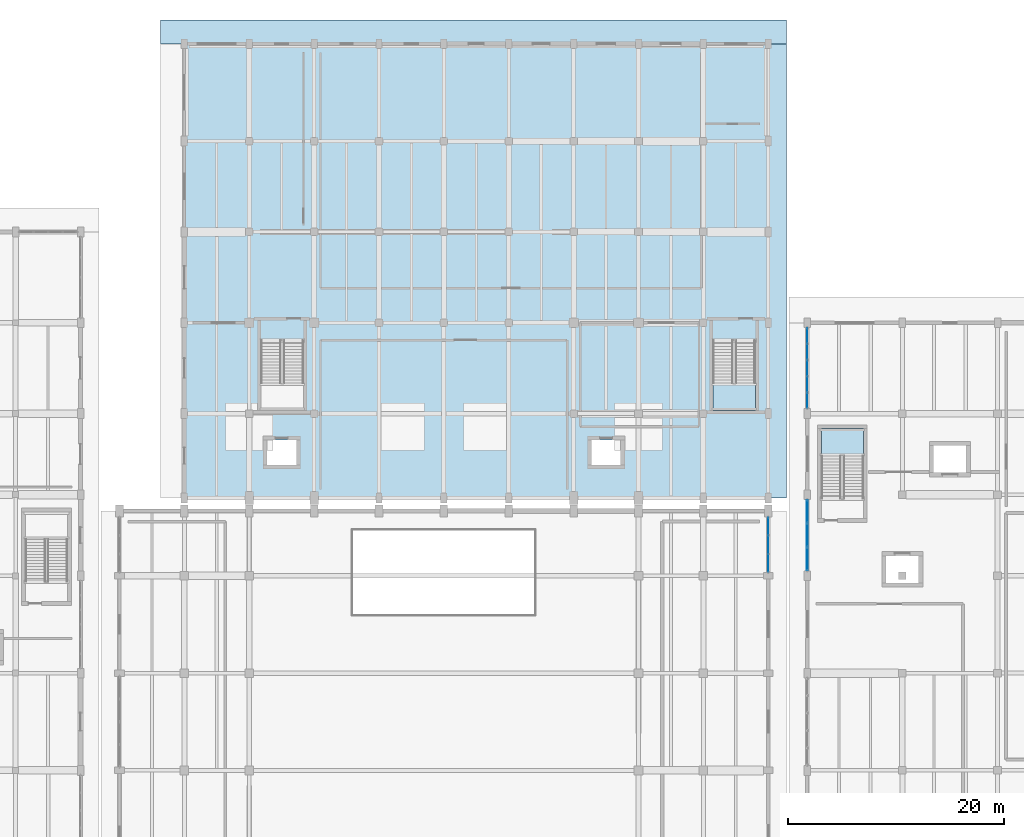
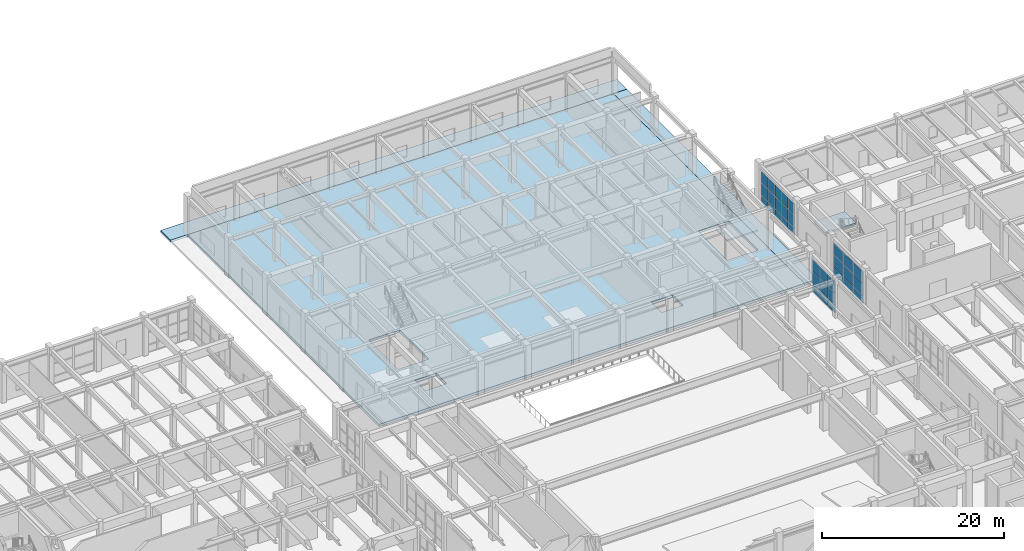
# One storey, part 66 of 91: 33 plates, 5 slabs, 5 elements without a shape of their own.
"""IFC4 building model written with IfcOpenShell, lengths in metres."""

from ifc_helpers import new_model, si_unit, direction, frame, origin, origin_2d, place, context, subcontext, project, spatial, polyline, rectangle, outline, extrude, material, layer, layer_set, type_object, element, aggregate, save


model = new_model("IFC4")

# Units and contexts
model_context = context("Model", 3, precision=1e-05, world=origin(), true_north=direction((0.0, 1.0)))
body_context = subcontext(model_context, "Body", "Model", "MODEL_VIEW")
ifc_project = project(units=[si_unit("LENGTHUNIT", "METRE"), si_unit("AREAUNIT", "SQUARE_METRE"), si_unit("VOLUMEUNIT", "CUBIC_METRE"), si_unit("PLANEANGLEUNIT", "RADIAN"), si_unit("MASSUNIT", "GRAM", prefix="KILO")], contexts=[model_context])

# Site, building, storey
site_placement = place(None, origin())
site = spatial("IfcSite", under=ifc_project, at=site_placement, CompositionType="ELEMENT")
building_placement = place(site_placement, origin())
building = spatial("IfcBuilding", under=site, at=building_placement, Name="Vaelkrest Opera House", CompositionType="ELEMENT")
storey_placement = place(building_placement, origin())
storey = spatial("IfcBuildingStorey", under=building, at=storey_placement, Name="L00", CompositionType="ELEMENT", Elevation=0.0)

# Curtain wall, plates
ifc_material_1 = material(Name="Dark bronze anodized aluminium", Category="aluminium")
ifc_layer_1 = layer(ifc_material_1, 0.18994140625)
ifc_layer_set_1 = layer_set([ifc_layer_1], Name="Dark bronze anodized aluminium")
curtain_wall_type_1 = type_object("IfcCurtainWallType", Name="CW02", PredefinedType="NOTDEFINED", material=ifc_layer_set_1)
curtain_wall_1_placement = place(storey_placement, origin())
curtain_wall_1 = element("IfcCurtainWall", 1, at=curtain_wall_1_placement, inside=storey, type_object=curtain_wall_type_1, Name="Curtain wall CW-L00-151", PredefinedType="NOTDEFINED")
ifc_material_2 = material(Name="Double low-E insulated glazing", Category="glass")
ifc_layer_2 = layer(ifc_material_2, 0.030029296875)
ifc_layer_set_2 = layer_set([ifc_layer_2], Name="Double low-E insulated glazing")
plate_type_1 = type_object("IfcPlateType", Name="CWP02", PredefinedType="CURTAIN_PANEL", material=ifc_layer_set_2)
plate_1_placement = place(storey_placement, frame((33.60009765625, 26.416015625, 0.06982421875), z_axis=(0.0, 0.0, 1.0), x_axis=(0.0, 1.0, 0.0)))
plate_1 = element("IfcPlate", 2, at=plate_1_placement, type_object=plate_type_1, Name="CW02 panel 1.1", PredefinedType="CURTAIN_PANEL", context=body_context, shape_type="SweptSolid", body=[
    extrude(rectangle(XDim=1.395751953125, YDim=0.030029296875, at=origin_2d()), origin(), (0.0, 0.0, 1.0), 0.945068359375),
])
plate_2_placement = place(storey_placement, frame((33.60009765625, 26.416015625, 1.0849609375), z_axis=(0.0, 0.0, 1.0), x_axis=(0.0, 1.0, 0.0)))
plate_2 = element("IfcPlate", 3, at=plate_2_placement, type_object=plate_type_1, Name="CW02 panel 1.2", PredefinedType="CURTAIN_PANEL", context=body_context, shape_type="SweptSolid", body=[
    extrude(rectangle(XDim=1.395751953125, YDim=0.030029296875, at=origin_2d()), origin(), (0.0, 0.0, 1.0), 1.6298828125),
])
plate_3_placement = place(storey_placement, frame((33.60009765625, 26.416015625, 2.78515625), z_axis=(0.0, 0.0, 1.0), x_axis=(0.0, 1.0, 0.0)))
plate_3 = element("IfcPlate", 4, at=plate_3_placement, type_object=plate_type_1, Name="CW02 panel 1.3", PredefinedType="CURTAIN_PANEL", context=body_context, shape_type="SweptSolid", body=[
    extrude(rectangle(XDim=1.395751953125, YDim=0.030029296875, at=origin_2d()), origin(), (0.0, 0.0, 1.0), 1.549072265625),
])
plate_4_placement = place(storey_placement, frame((33.60009765625, 27.899169921875, 0.06982421875), z_axis=(0.0, 0.0, 1.0), x_axis=(0.0, 1.0, 0.0)))
plate_4 = element("IfcPlate", 5, at=plate_4_placement, type_object=plate_type_1, Name="CW02 panel 2.1", PredefinedType="CURTAIN_PANEL", context=body_context, shape_type="SweptSolid", body=[
    extrude(rectangle(XDim=1.430908203125, YDim=0.030029296875, at=origin_2d()), origin(), (0.0, 0.0, 1.0), 0.945068359375),
])
plate_5_placement = place(storey_placement, frame((33.60009765625, 27.899169921875, 1.0849609375), z_axis=(0.0, 0.0, 1.0), x_axis=(0.0, 1.0, 0.0)))
plate_5 = element("IfcPlate", 6, at=plate_5_placement, type_object=plate_type_1, Name="CW02 panel 2.2", PredefinedType="CURTAIN_PANEL", context=body_context, shape_type="SweptSolid", body=[
    extrude(rectangle(XDim=1.430908203125, YDim=0.030029296875, at=origin_2d()), origin(), (0.0, 0.0, 1.0), 1.6298828125),
])
plate_6_placement = place(storey_placement, frame((33.60009765625, 27.899169921875, 2.78515625), z_axis=(0.0, 0.0, 1.0), x_axis=(0.0, 1.0, 0.0)))
plate_6 = element("IfcPlate", 7, at=plate_6_placement, type_object=plate_type_1, Name="CW02 panel 2.3", PredefinedType="CURTAIN_PANEL", context=body_context, shape_type="SweptSolid", body=[
    extrude(rectangle(XDim=1.430908203125, YDim=0.030029296875, at=origin_2d()), origin(), (0.0, 0.0, 1.0), 1.549072265625),
])
plate_7_placement = place(storey_placement, frame((33.60009765625, 29.39990234375, 0.06982421875), z_axis=(0.0, 0.0, 1.0), x_axis=(0.0, 1.0, 0.0)))
plate_7 = element("IfcPlate", 8, at=plate_7_placement, type_object=plate_type_1, Name="CW02 panel 3.1", PredefinedType="CURTAIN_PANEL", context=body_context, shape_type="SweptSolid", body=[
    extrude(rectangle(XDim=1.430908203125, YDim=0.030029296875, at=origin_2d()), origin(), (0.0, 0.0, 1.0), 0.945068359375),
])
plate_8_placement = place(storey_placement, frame((33.60009765625, 29.39990234375, 1.0849609375), z_axis=(0.0, 0.0, 1.0), x_axis=(0.0, 1.0, 0.0)))
plate_8 = element("IfcPlate", 9, at=plate_8_placement, type_object=plate_type_1, Name="CW02 panel 3.2", PredefinedType="CURTAIN_PANEL", context=body_context, shape_type="SweptSolid", body=[
    extrude(rectangle(XDim=1.430908203125, YDim=0.030029296875, at=origin_2d()), origin(), (0.0, 0.0, 1.0), 1.6298828125),
])
plate_9_placement = place(storey_placement, frame((33.60009765625, 29.39990234375, 2.78515625), z_axis=(0.0, 0.0, 1.0), x_axis=(0.0, 1.0, 0.0)))
plate_9 = element("IfcPlate", 10, at=plate_9_placement, type_object=plate_type_1, Name="CW02 panel 3.3", PredefinedType="CURTAIN_PANEL", context=body_context, shape_type="SweptSolid", body=[
    extrude(rectangle(XDim=1.430908203125, YDim=0.030029296875, at=origin_2d()), origin(), (0.0, 0.0, 1.0), 1.549072265625),
])
plate_10_placement = place(storey_placement, frame((33.60009765625, 30.90087890625, 0.06982421875), z_axis=(0.0, 0.0, 1.0), x_axis=(0.0, 1.0, 0.0)))
plate_10 = element("IfcPlate", 11, at=plate_10_placement, type_object=plate_type_1, Name="CW02 panel 4.1", PredefinedType="CURTAIN_PANEL", context=body_context, shape_type="SweptSolid", body=[
    extrude(rectangle(XDim=1.430908203125, YDim=0.030029296875, at=origin_2d()), origin(), (0.0, 0.0, 1.0), 0.945068359375),
])
plate_11_placement = place(storey_placement, frame((33.60009765625, 30.90087890625, 1.0849609375), z_axis=(0.0, 0.0, 1.0), x_axis=(0.0, 1.0, 0.0)))
plate_11 = element("IfcPlate", 12, at=plate_11_placement, type_object=plate_type_1, Name="CW02 panel 4.2", PredefinedType="CURTAIN_PANEL", context=body_context, shape_type="SweptSolid", body=[
    extrude(rectangle(XDim=1.430908203125, YDim=0.030029296875, at=origin_2d()), origin(), (0.0, 0.0, 1.0), 1.6298828125),
])
plate_12_placement = place(storey_placement, frame((33.60009765625, 30.90087890625, 2.78515625), z_axis=(0.0, 0.0, 1.0), x_axis=(0.0, 1.0, 0.0)))
plate_12 = element("IfcPlate", 13, at=plate_12_placement, type_object=plate_type_1, Name="CW02 panel 4.3", PredefinedType="CURTAIN_PANEL", context=body_context, shape_type="SweptSolid", body=[
    extrude(rectangle(XDim=1.430908203125, YDim=0.030029296875, at=origin_2d()), origin(), (0.0, 0.0, 1.0), 1.549072265625),
])
plate_13_placement = place(storey_placement, frame((33.60009765625, 32.384033203125, 0.06982421875), z_axis=(0.0, 0.0, 1.0), x_axis=(0.0, 1.0, 0.0)))
plate_13 = element("IfcPlate", 14, at=plate_13_placement, type_object=plate_type_1, Name="CW02 panel 5.1", PredefinedType="CURTAIN_PANEL", context=body_context, shape_type="SweptSolid", body=[
    extrude(rectangle(XDim=1.395751953125, YDim=0.030029296875, at=origin_2d()), origin(), (0.0, 0.0, 1.0), 0.945068359375),
])
plate_14_placement = place(storey_placement, frame((33.60009765625, 32.384033203125, 1.0849609375), z_axis=(0.0, 0.0, 1.0), x_axis=(0.0, 1.0, 0.0)))
plate_14 = element("IfcPlate", 15, at=plate_14_placement, type_object=plate_type_1, Name="CW02 panel 5.2", PredefinedType="CURTAIN_PANEL", context=body_context, shape_type="SweptSolid", body=[
    extrude(rectangle(XDim=1.395751953125, YDim=0.030029296875, at=origin_2d()), origin(), (0.0, 0.0, 1.0), 1.6298828125),
])
plate_15_placement = place(storey_placement, frame((33.60009765625, 32.384033203125, 2.78515625), z_axis=(0.0, 0.0, 1.0), x_axis=(0.0, 1.0, 0.0)))
plate_15 = element("IfcPlate", 16, at=plate_15_placement, type_object=plate_type_1, Name="CW02 panel 5.3", PredefinedType="CURTAIN_PANEL", context=body_context, shape_type="SweptSolid", body=[
    extrude(rectangle(XDim=1.395751953125, YDim=0.030029296875, at=origin_2d()), origin(), (0.0, 0.0, 1.0), 1.549072265625),
])
aggregate(curtain_wall_1, [plate_1, plate_2, plate_3, plate_4, plate_5, plate_6, plate_7, plate_8, plate_9, plate_10, plate_11, plate_12, plate_13, plate_14, plate_15])

ifc_layer_3 = layer(ifc_material_1, 0.219970703125)
ifc_layer_set_3 = layer_set([ifc_layer_3], Name="Dark bronze anodized aluminium")
curtain_wall_type_2 = type_object("IfcCurtainWallType", Name="CW05", PredefinedType="NOTDEFINED", material=ifc_layer_set_3)
curtain_wall_2_placement = place(storey_placement, origin())
curtain_wall_2 = element("IfcCurtainWall", 17, at=curtain_wall_2_placement, inside=storey, type_object=curtain_wall_type_2, Name="Curtain wall CW-L00-017", PredefinedType="NOTDEFINED")
ifc_layer_4 = layer(ifc_material_2, 0.0419921875)
ifc_layer_set_4 = layer_set([ifc_layer_4], Name="Double low-E insulated glazing")
plate_type_2 = type_object("IfcPlateType", Name="CWP05", PredefinedType="CURTAIN_PANEL", material=ifc_layer_set_4)
plate_16_placement = place(storey_placement, frame((30.0, 14.77685546875, 0.074951171875), z_axis=(0.0, 0.0, 1.0), x_axis=(0.0, -1.0, 0.0)))
plate_16 = element("IfcPlate", 18, at=plate_16_placement, type_object=plate_type_2, Name="CW05 panel 1.1", PredefinedType="CURTAIN_PANEL", context=body_context, shape_type="SweptSolid", body=[
    extrude(rectangle(XDim=1.62060546875, YDim=0.0419921875, at=origin_2d()), origin(), (0.0, 0.0, 1.0), 0.9375),
])
plate_17_placement = place(storey_placement, frame((30.0, 14.77685546875, 1.08740234375), z_axis=(0.0, 0.0, 1.0), x_axis=(0.0, -1.0, 0.0)))
plate_17 = element("IfcPlate", 19, at=plate_17_placement, type_object=plate_type_2, Name="CW05 panel 1.2", PredefinedType="CURTAIN_PANEL", context=body_context, shape_type="SweptSolid", body=[
    extrude(rectangle(XDim=1.62060546875, YDim=0.0419921875, at=origin_2d()), origin(), (0.0, 0.0, 1.0), 1.625),
])
plate_18_placement = place(storey_placement, frame((30.0, 14.77685546875, 2.78759765625), z_axis=(0.0, 0.0, 1.0), x_axis=(0.0, -1.0, 0.0)))
plate_18 = element("IfcPlate", 20, at=plate_18_placement, type_object=plate_type_2, Name="CW05 panel 1.3", PredefinedType="CURTAIN_PANEL", context=body_context, shape_type="SweptSolid", body=[
    extrude(rectangle(XDim=1.62060546875, YDim=0.0419921875, at=origin_2d()), origin(), (0.0, 0.0, 1.0), 1.54150390625),
])
plate_19_placement = place(storey_placement, frame((30.0, 13.074951171875, 0.074951171875), z_axis=(0.0, 0.0, 1.0), x_axis=(0.0, -1.0, 0.0)))
plate_19 = element("IfcPlate", 21, at=plate_19_placement, type_object=plate_type_2, Name="CW05 panel 2.1", PredefinedType="CURTAIN_PANEL", context=body_context, shape_type="SweptSolid", body=[
    extrude(rectangle(XDim=1.653076171875, YDim=0.0419921875, at=origin_2d()), origin(), (0.0, 0.0, 1.0), 0.9375),
])
plate_20_placement = place(storey_placement, frame((30.0, 13.074951171875, 1.08740234375), z_axis=(0.0, 0.0, 1.0), x_axis=(0.0, -1.0, 0.0)))
plate_20 = element("IfcPlate", 22, at=plate_20_placement, type_object=plate_type_2, Name="CW05 panel 2.2", PredefinedType="CURTAIN_PANEL", context=body_context, shape_type="SweptSolid", body=[
    extrude(rectangle(XDim=1.653076171875, YDim=0.0419921875, at=origin_2d()), origin(), (0.0, 0.0, 1.0), 1.625),
])
plate_21_placement = place(storey_placement, frame((30.0, 13.074951171875, 2.78759765625), z_axis=(0.0, 0.0, 1.0), x_axis=(0.0, -1.0, 0.0)))
plate_21 = element("IfcPlate", 23, at=plate_21_placement, type_object=plate_type_2, Name="CW05 panel 2.3", PredefinedType="CURTAIN_PANEL", context=body_context, shape_type="SweptSolid", body=[
    extrude(rectangle(XDim=1.653076171875, YDim=0.0419921875, at=origin_2d()), origin(), (0.0, 0.0, 1.0), 1.54150390625),
])
plate_22_placement = place(storey_placement, frame((30.0, 11.373291015625, 0.074951171875), z_axis=(0.0, 0.0, 1.0), x_axis=(0.0, -1.0, 0.0)))
plate_22 = element("IfcPlate", 24, at=plate_22_placement, type_object=plate_type_2, Name="CW05 panel 3.1", PredefinedType="CURTAIN_PANEL", context=body_context, shape_type="SweptSolid", body=[
    extrude(rectangle(XDim=1.62060546875, YDim=0.0419921875, at=origin_2d()), origin(), (0.0, 0.0, 1.0), 0.9375),
])
plate_23_placement = place(storey_placement, frame((30.0, 11.373291015625, 1.08740234375), z_axis=(0.0, 0.0, 1.0), x_axis=(0.0, -1.0, 0.0)))
plate_23 = element("IfcPlate", 25, at=plate_23_placement, type_object=plate_type_2, Name="CW05 panel 3.2", PredefinedType="CURTAIN_PANEL", context=body_context, shape_type="SweptSolid", body=[
    extrude(rectangle(XDim=1.62060546875, YDim=0.0419921875, at=origin_2d()), origin(), (0.0, 0.0, 1.0), 1.625),
])
plate_24_placement = place(storey_placement, frame((30.0, 11.373291015625, 2.78759765625), z_axis=(0.0, 0.0, 1.0), x_axis=(0.0, -1.0, 0.0)))
plate_24 = element("IfcPlate", 26, at=plate_24_placement, type_object=plate_type_2, Name="CW05 panel 3.3", PredefinedType="CURTAIN_PANEL", context=body_context, shape_type="SweptSolid", body=[
    extrude(rectangle(XDim=1.62060546875, YDim=0.0419921875, at=origin_2d()), origin(), (0.0, 0.0, 1.0), 1.54150390625),
])
aggregate(curtain_wall_2, [plate_16, plate_17, plate_18, plate_19, plate_20, plate_21, plate_22, plate_23, plate_24])

ifc_layer_5 = layer(ifc_material_1, 0.25)
ifc_layer_set_5 = layer_set([ifc_layer_5], Name="Dark bronze anodized aluminium")
curtain_wall_type_3 = type_object("IfcCurtainWallType", Name="CW08", PredefinedType="NOTDEFINED", material=ifc_layer_set_5)
curtain_wall_3_placement = place(storey_placement, origin())
curtain_wall_3 = element("IfcCurtainWall", 27, at=curtain_wall_3_placement, inside=storey, type_object=curtain_wall_type_3, Name="Curtain wall CW-L00-150", PredefinedType="NOTDEFINED")
ifc_material_3 = material(Name="Dark bronze anodized aluminium spandrel", Category="aluminium")
ifc_layer_6 = layer(ifc_material_3, 0.05810546875)
ifc_layer_set_6 = layer_set([ifc_layer_6], Name="Dark bronze anodized aluminium spandrel")
plate_type_3 = type_object("IfcPlateType", Name="CWP08", PredefinedType="CURTAIN_PANEL", material=ifc_layer_set_6)
plate_25_placement = place(storey_placement, frame((33.60009765625, 11.7685546875, 0.06982421875), z_axis=(0.0, 0.0, 1.0), x_axis=(0.0, 1.0, 0.0)))
plate_25 = element("IfcPlate", 28, at=plate_25_placement, type_object=plate_type_3, Name="CW08 panel 1.1", PredefinedType="CURTAIN_PANEL", context=body_context, shape_type="SweptSolid", body=[
    extrude(rectangle(XDim=2.081298828125, YDim=0.05810546875, at=origin_2d()), origin(), (0.0, 0.0, 1.0), 0.945068359375),
])
plate_26_placement = place(storey_placement, frame((33.60009765625, 11.7685546875, 1.0849609375), z_axis=(0.0, 0.0, 1.0), x_axis=(0.0, 1.0, 0.0)))
plate_26 = element("IfcPlate", 29, at=plate_26_placement, type_object=plate_type_3, Name="CW08 panel 1.2", PredefinedType="CURTAIN_PANEL", context=body_context, shape_type="SweptSolid", body=[
    extrude(rectangle(XDim=2.081298828125, YDim=0.05810546875, at=origin_2d()), origin(), (0.0, 0.0, 1.0), 1.6298828125),
])
plate_27_placement = place(storey_placement, frame((33.60009765625, 11.7685546875, 2.78515625), z_axis=(0.0, 0.0, 1.0), x_axis=(0.0, 1.0, 0.0)))
plate_27 = element("IfcPlate", 30, at=plate_27_placement, type_object=plate_type_3, Name="CW08 panel 1.3", PredefinedType="CURTAIN_PANEL", context=body_context, shape_type="SweptSolid", body=[
    extrude(rectangle(XDim=2.081298828125, YDim=0.05810546875, at=origin_2d()), origin(), (0.0, 0.0, 1.0), 1.549072265625),
])
plate_28_placement = place(storey_placement, frame((33.60009765625, 13.949951171875, 0.06982421875), z_axis=(0.0, 0.0, 1.0), x_axis=(0.0, 1.0, 0.0)))
plate_28 = element("IfcPlate", 31, at=plate_28_placement, type_object=plate_type_3, Name="CW08 panel 2.1", PredefinedType="CURTAIN_PANEL", context=body_context, shape_type="SweptSolid", body=[
    extrude(rectangle(XDim=2.121337890625, YDim=0.05810546875, at=origin_2d()), origin(), (0.0, 0.0, 1.0), 0.945068359375),
])
plate_29_placement = place(storey_placement, frame((33.60009765625, 13.949951171875, 1.0849609375), z_axis=(0.0, 0.0, 1.0), x_axis=(0.0, 1.0, 0.0)))
plate_29 = element("IfcPlate", 32, at=plate_29_placement, type_object=plate_type_3, Name="CW08 panel 2.2", PredefinedType="CURTAIN_PANEL", context=body_context, shape_type="SweptSolid", body=[
    extrude(rectangle(XDim=2.121337890625, YDim=0.05810546875, at=origin_2d()), origin(), (0.0, 0.0, 1.0), 1.6298828125),
])
plate_30_placement = place(storey_placement, frame((33.60009765625, 13.949951171875, 2.78515625), z_axis=(0.0, 0.0, 1.0), x_axis=(0.0, 1.0, 0.0)))
plate_30 = element("IfcPlate", 33, at=plate_30_placement, type_object=plate_type_3, Name="CW08 panel 2.3", PredefinedType="CURTAIN_PANEL", context=body_context, shape_type="SweptSolid", body=[
    extrude(rectangle(XDim=2.121337890625, YDim=0.05810546875, at=origin_2d()), origin(), (0.0, 0.0, 1.0), 1.549072265625),
])
plate_31_placement = place(storey_placement, frame((33.60009765625, 16.13134765625, 0.06982421875), z_axis=(0.0, 0.0, 1.0), x_axis=(0.0, 1.0, 0.0)))
plate_31 = element("IfcPlate", 34, at=plate_31_placement, type_object=plate_type_3, Name="CW08 panel 3.1", PredefinedType="CURTAIN_PANEL", context=body_context, shape_type="SweptSolid", body=[
    extrude(rectangle(XDim=2.081298828125, YDim=0.05810546875, at=origin_2d()), origin(), (0.0, 0.0, 1.0), 0.945068359375),
])
plate_32_placement = place(storey_placement, frame((33.60009765625, 16.13134765625, 1.0849609375), z_axis=(0.0, 0.0, 1.0), x_axis=(0.0, 1.0, 0.0)))
plate_32 = element("IfcPlate", 35, at=plate_32_placement, type_object=plate_type_3, Name="CW08 panel 3.2", PredefinedType="CURTAIN_PANEL", context=body_context, shape_type="SweptSolid", body=[
    extrude(rectangle(XDim=2.081298828125, YDim=0.05810546875, at=origin_2d()), origin(), (0.0, 0.0, 1.0), 1.6298828125),
])
plate_33_placement = place(storey_placement, frame((33.60009765625, 16.13134765625, 2.78515625), z_axis=(0.0, 0.0, 1.0), x_axis=(0.0, 1.0, 0.0)))
plate_33 = element("IfcPlate", 36, at=plate_33_placement, type_object=plate_type_3, Name="CW08 panel 3.3", PredefinedType="CURTAIN_PANEL", context=body_context, shape_type="SweptSolid", body=[
    extrude(rectangle(XDim=2.081298828125, YDim=0.05810546875, at=origin_2d()), origin(), (0.0, 0.0, 1.0), 1.549072265625),
])
aggregate(curtain_wall_3, [plate_25, plate_26, plate_27, plate_28, plate_29, plate_30, plate_31, plate_32, plate_33])

# Slab
ifc_material_4 = material(Name="Concrete C40/50", Category="concrete")
ifc_layer_7 = layer(ifc_material_4, 0.35009765625)
ifc_layer_set_7 = layer_set([ifc_layer_7], Name="Concrete C40/50")
slab_type_1 = type_object("IfcSlabType", Name="FS06", PredefinedType="FLOOR", material=ifc_layer_set_7)
slab_1_placement = place(storey_placement, frame((0.0, 0.0, -0.35009765625)))
element("IfcSlab", 37, at=slab_1_placement, inside=storey, type_object=slab_type_1, Name="Floor slab SLB-V2-L00-010", PredefinedType="FLOOR", context=body_context, shape_type="SweptSolid", body=[
    extrude(outline(polyline([(-24.0, 17.39990234375), (30.0, 17.39990234375), (30.0, 59.39990234375), (-24.0, 59.39990234375), (-24.0, 17.39990234375)]), holes=[polyline([(-16.89990234375, 31.949951171875), (-16.89990234375, 25.5), (-13.0, 25.5), (-13.0, 31.949951171875), (-16.89990234375, 31.949951171875)]), polyline([(24.89990234375, 31.949951171875), (24.89990234375, 25.5), (28.800048828125, 25.5), (28.800048828125, 31.949951171875), (24.89990234375, 31.949951171875)]), polyline([(-16.35009765625, 20.449951171875), (-13.64990234375, 20.449951171875), (-13.64990234375, 22.75), (-16.35009765625, 22.75), (-16.35009765625, 20.449951171875)]), polyline([(13.64990234375, 20.449951171875), (16.35009765625, 20.449951171875), (16.35009765625, 22.75), (13.64990234375, 22.75), (13.64990234375, 20.449951171875)])]), origin(), (0.0, 0.0, 1.0), 0.35009765625),
])

# Stair, slab
stair_type_1 = type_object("IfcStairType", Name="ST06", PredefinedType="TWO_STRAIGHT_RUN_STAIR", material=ifc_material_4)
stair_1_placement = place(storey_placement, origin())
stair_1 = element("IfcStair", 38, at=stair_1_placement, inside=storey, type_object=stair_type_1, Name="L00 Protected exit stair ST06", PredefinedType="TWO_STRAIGHT_RUN_STAIR")
ifc_layer_8 = layer(ifc_material_4, 0.199951171875)
ifc_layer_set_8 = layer_set([ifc_layer_8], Name="Concrete C40/50")
slab_type_2 = type_object("IfcSlabType", Name="SLD01", PredefinedType="LANDING", material=ifc_layer_set_8)
slab_2_placement = place(storey_placement, frame((0.0, 0.0, 2.5)))
slab_2 = element("IfcSlab", 39, at=slab_2_placement, type_object=slab_type_2, Name="ST06 landing 1", PredefinedType="LANDING", context=body_context, shape_type="SweptSolid", body=[
    extrude(outline(polyline([(24.89990234375, 28.030029296875), (24.89990234375, 25.5), (28.800048828125, 25.5), (28.800048828125, 28.030029296875), (24.89990234375, 28.030029296875)])), origin(), (0.0, 0.0, 1.0), 0.199951171875),
])
aggregate(stair_1, [slab_2])

stair_type_2 = type_object("IfcStairType", Name="ST09", PredefinedType="TWO_STRAIGHT_RUN_STAIR", material=ifc_material_4)
stair_2_placement = place(storey_placement, origin())
stair_2 = element("IfcStair", 40, at=stair_2_placement, inside=storey, type_object=stair_type_2, Name="L00 Protected exit stair ST09", PredefinedType="TWO_STRAIGHT_RUN_STAIR")
slab_3_placement = place(storey_placement, frame((0.0, 0.0, 2.5)))
slab_3 = element("IfcSlab", 41, at=slab_3_placement, type_object=slab_type_2, Name="ST09 landing 1", PredefinedType="LANDING", context=body_context, shape_type="SweptSolid", body=[
    extrude(outline(polyline([(38.800048828125, 21.27001953125), (38.800048828125, 23.800048828125), (34.89990234375, 23.800048828125), (34.89990234375, 21.27001953125), (38.800048828125, 21.27001953125)])), origin(), (0.0, 0.0, 1.0), 0.199951171875),
])
aggregate(stair_2, [slab_3])

# Slabs
ifc_layer_9 = layer(ifc_material_4, 0.294921875)
ifc_layer_set_9 = layer_set([ifc_layer_9], Name="Concrete C40/50")
slab_type_3 = type_object("IfcSlabType", Name="TS02", PredefinedType="FLOOR", material=ifc_layer_set_9)
slab_4_placement = place(storey_placement, frame((0.0, 0.0, -0.294921875)))
element("IfcSlab", 42, at=slab_4_placement, inside=storey, type_object=slab_type_3, Name="Exterior plaza walkway SLB-PLZ-V2-N", PredefinedType="FLOOR", context=body_context, shape_type="SweptSolid", body=[
    extrude(outline(polyline([(-26.199951171875, 59.39990234375), (31.699951171875, 59.39990234375), (31.699951171875, 61.60009765625), (-26.199951171875, 61.60009765625), (-26.199951171875, 59.39990234375)])), origin(), (0.0, 0.0, 1.0), 0.294921875),
])
slab_5_placement = place(storey_placement, frame((0.0, 0.0, -0.294921875)))
element("IfcSlab", 43, at=slab_5_placement, inside=storey, type_object=slab_type_3, Name="Exterior plaza walkway SLB-PLZ-V2-E", PredefinedType="FLOOR", context=body_context, shape_type="SweptSolid", body=[
    extrude(outline(polyline([(30.0, 17.39990234375), (31.699951171875, 17.39990234375), (31.699951171875, 59.39990234375), (30.0, 59.39990234375), (30.0, 17.39990234375)])), origin(), (0.0, 0.0, 1.0), 0.294921875),
])

save(model, "model.ifc")
